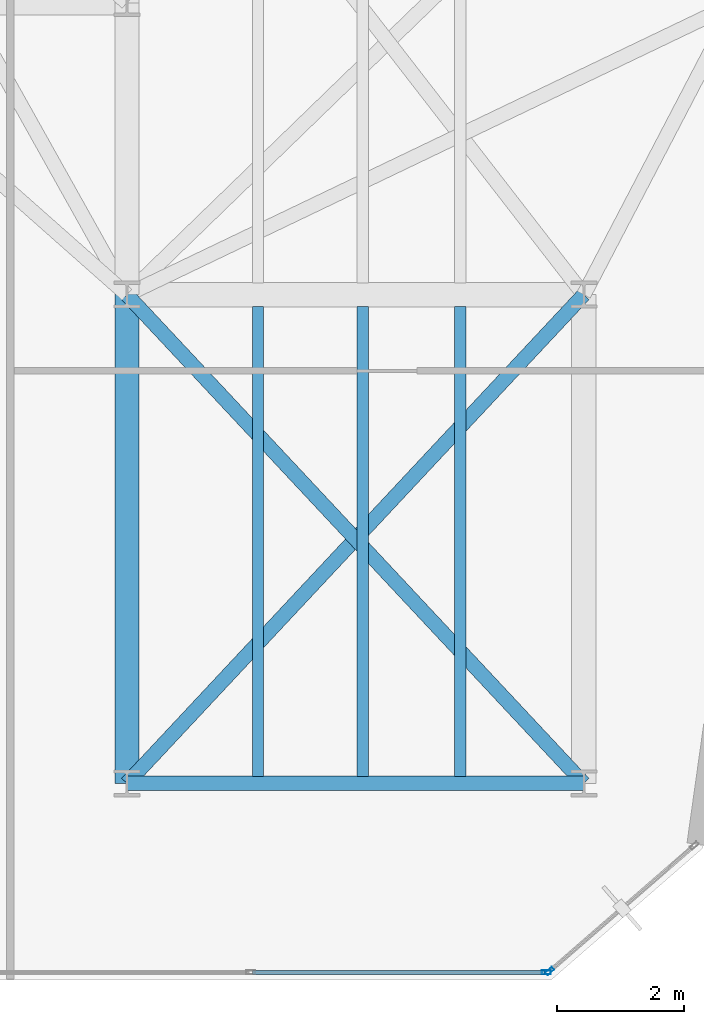
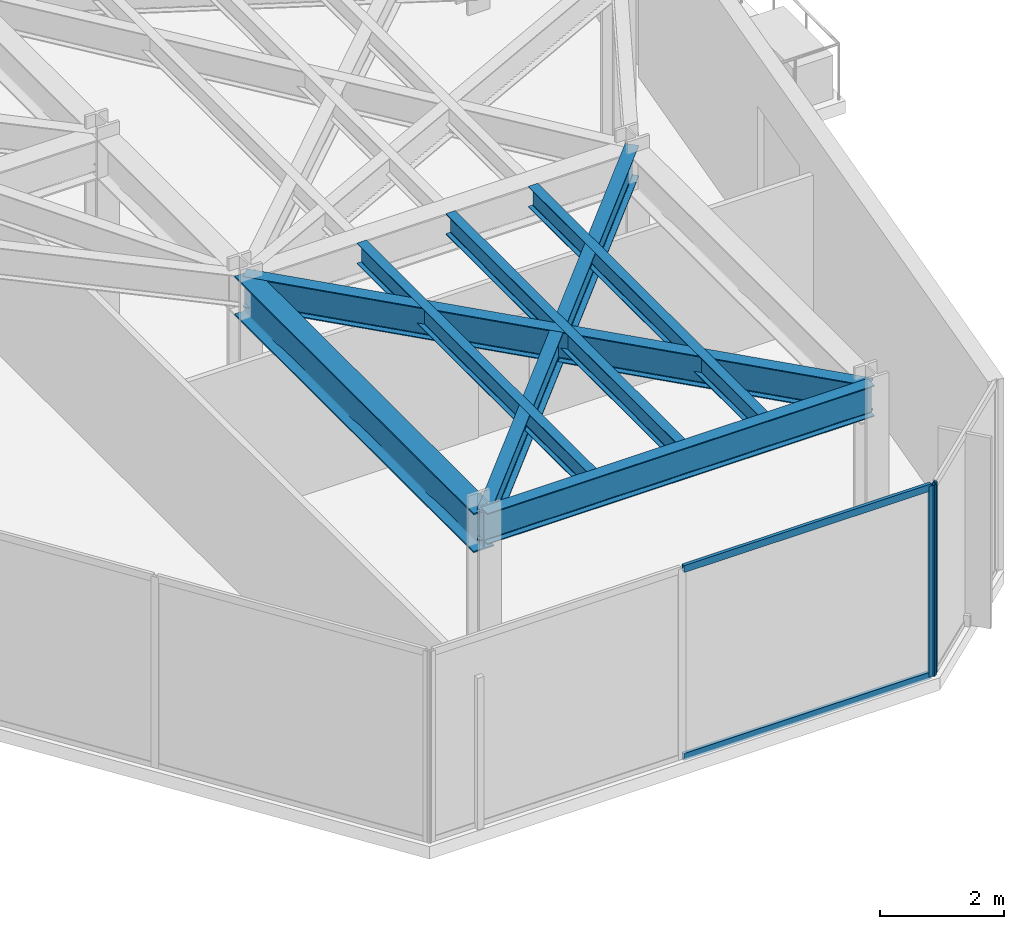
# One storey, part 17 of 27: 7 beams, 4 members, 2 elements without a shape of their own.
"""IFC4 building model written with IfcOpenShell, lengths in metres."""

from ifc_helpers import new_model, si_unit, direction, frame, origin, origin_2d, place, context, subcontext, project, spatial, hollow_rectangle, i_section, extrude, material, layer, layer_set, material_profile, profile_set, type_object, element, aggregate, save


model = new_model("IFC4")

# Units and contexts
model_context = context("Model", 3, precision=1e-05, world=origin(), true_north=direction((0.0, 1.0)))
body_context = subcontext(model_context, "Body", "Model", "MODEL_VIEW")
ifc_project = project(units=[si_unit("LENGTHUNIT", "METRE"), si_unit("AREAUNIT", "SQUARE_METRE"), si_unit("VOLUMEUNIT", "CUBIC_METRE"), si_unit("PLANEANGLEUNIT", "RADIAN"), si_unit("MASSUNIT", "GRAM", prefix="KILO")], contexts=[model_context])

# Site, building, storey
site_placement = place(None, origin())
site = spatial("IfcSite", under=ifc_project, at=site_placement, CompositionType="ELEMENT")
building_placement = place(site_placement, origin())
building = spatial("IfcBuilding", under=site, at=building_placement, Name="Kravanh Interchange Tower", CompositionType="ELEMENT")
storey_placement = place(building_placement, frame((0.0, 0.0, 164.5)))
storey = spatial("IfcBuildingStorey", under=building, at=storey_placement, Name="L39", CompositionType="ELEMENT", Elevation=164.5)

# Curtain wall, member
ifc_material_1 = material(Name="Anodised Bronze Aluminium", Category="aluminium")
ifc_layer = layer(ifc_material_1, 0.179931640625)
ifc_layer_set = layer_set([ifc_layer], Name="Unitised Curtain Wall System CW-Z3 Upper Office")
curtain_wall_type = type_object("IfcCurtainWallType", Name="Unitised Curtain Wall System CW-Z3 Upper Office", PredefinedType="NOTDEFINED", material=ifc_layer_set)
curtain_wall_1_placement = place(storey_placement, origin())
curtain_wall_1 = element("IfcCurtainWall", 1, at=curtain_wall_1_placement, inside=storey, type_object=curtain_wall_type, Name="L39 Unitised Curtain Wall CW-L39-02", PredefinedType="NOTDEFINED")
ifc_material_2 = material(Name="Anodised Bronze Aluminium", Category="aluminium")
ifc_material_profile_1 = material_profile(ifc_material_2, hollow_rectangle(XDim=0.06005859375, YDim=0.139892578125, WallThickness=0.00390625, at=origin_2d()), Name="ALU60X140X4")
ifc_profile_set_1 = profile_set([ifc_material_profile_1], Name="Anodised Bronze Aluminium")
member_type_1 = type_object("IfcMemberType", Name="Curtain Wall Mullion ALU60X140X4 Bronze", PredefinedType="MULLION", material=ifc_profile_set_1)
member_1_placement = place(storey_placement, frame((62.66357421875, 11.539794921875, 0.0), z_axis=(0.0, 0.0, 1.0), x_axis=(0.65605090137, -0.754716645379, 0.0)))
member_1 = element("IfcMember", 2, at=member_1_placement, type_object=member_type_1, Name="CW-Z3 mullion 2", PredefinedType="MULLION", context=body_context, shape_type="SweptSolid", body=[
    extrude(hollow_rectangle(XDim=0.06005859375, YDim=0.139892578125, WallThickness=0.00390625, at=origin_2d()), origin(), (0.0, 0.0, 1.0), 3.7548828125),
])
aggregate(curtain_wall_1, [member_1])

# Curtain wall, members
curtain_wall_2_placement = place(storey_placement, origin())
curtain_wall_2 = element("IfcCurtainWall", 3, at=curtain_wall_2_placement, inside=storey, type_object=curtain_wall_type, Name="L39 Unitised Curtain Wall CW-L39-03", PredefinedType="NOTDEFINED")
member_2_placement = place(storey_placement, frame((62.611083984375, 11.52001953125, 0.0), z_axis=(0.0, 0.0, 1.0), x_axis=(0.0, -1.0, 0.0)))
member_2 = element("IfcMember", 4, at=member_2_placement, type_object=member_type_1, Name="CW-Z3 mullion 1", PredefinedType="MULLION", context=body_context, shape_type="SweptSolid", body=[
    extrude(hollow_rectangle(XDim=0.06005859375, YDim=0.139892578125, WallThickness=0.00390625, at=origin_2d()), origin(), (0.0, 0.0, 1.0), 3.7548828125),
])
ifc_material_3 = material(Name="Anodised Bronze Aluminium", Category="aluminium")
ifc_material_profile_2 = material_profile(ifc_material_3, hollow_rectangle(XDim=0.06005859375, YDim=0.139892578125, WallThickness=0.00390625, at=origin_2d()), Name="ALU60X140X4")
ifc_profile_set_2 = profile_set([ifc_material_profile_2], Name="Anodised Bronze Aluminium")
member_type_2 = type_object("IfcMemberType", Name="Curtain Wall Transom ALU60X140X4 Bronze", PredefinedType="USERDEFINED", material=ifc_profile_set_2)
member_3_placement = place(storey_placement, frame((62.5810546875, 11.52001953125, 0.030029296875), z_axis=(-1.0, 0.0, 0.0), x_axis=(0.0, -1.0, 0.0)))
member_3 = element("IfcMember", 5, at=member_3_placement, type_object=member_type_2, Name="CW-Z3 transom 1.1", ObjectType="TRANSOM", PredefinedType="USERDEFINED", context=body_context, shape_type="SweptSolid", body=[
    extrude(hollow_rectangle(XDim=0.06005859375, YDim=0.139892578125, WallThickness=0.00390625, at=origin_2d()), origin(), (0.0, 0.0, 1.0), 4.59912109375),
])
member_4_placement = place(storey_placement, frame((62.5810546875, 11.52001953125, 3.72509765625), z_axis=(-1.0, 0.0, 0.0), x_axis=(0.0, -1.0, 0.0)))
member_4 = element("IfcMember", 6, at=member_4_placement, type_object=member_type_2, Name="CW-Z3 transom 1.2", ObjectType="TRANSOM", PredefinedType="USERDEFINED", context=body_context, shape_type="SweptSolid", body=[
    extrude(hollow_rectangle(XDim=0.06005859375, YDim=0.139892578125, WallThickness=0.00390625, at=origin_2d()), origin(), (0.0, 0.0, 1.0), 4.59912109375),
])
aggregate(curtain_wall_2, [member_2, member_3, member_4])

# Beams
ifc_material_4 = material(Name="Structural Steel S355", Category="steel")
ifc_material_profile_3 = material_profile(ifc_material_4, i_section(OverallWidth=0.381103515625, OverallDepth=0.77294921875, WebThickness=0.0166015625, FlangeThickness=0.027099609375, FilletRadius=0.02490234375, at=origin_2d()), Name="W30X173")
ifc_profile_set_3 = profile_set([ifc_material_profile_3], Name="Structural Steel S355")
beam_type_1 = type_object("IfcBeamType", Name="Floor Beam W30X173 Structural Steel S355", PredefinedType="BEAM", material=ifc_profile_set_3)
beam_1_placement = place(storey_placement, frame((56.0, 14.5, 3.368408203125), z_axis=(0.0, 1.0, 0.0), x_axis=(-1.0, 0.0, 0.0)))
element("IfcBeam", 7, at=beam_1_placement, inside=storey, type_object=beam_type_1, Name="L39 Primary Floor Girder 87", PredefinedType="BEAM", context=body_context, shape_type="SweptSolid", body=[
    extrude(i_section(OverallWidth=0.381103515625, OverallDepth=0.77294921875, WebThickness=0.0166015625, FlangeThickness=0.027099609375, FilletRadius=0.02490234375, at=origin_2d()), origin(), (0.0, 0.0, 1.0), 7.699951171875),
])
ifc_material_5 = material(Name="Structural Steel S355", Category="steel")
ifc_material_profile_4 = material_profile(ifc_material_5, i_section(OverallWidth=0.177978515625, OverallDepth=0.406005859375, WebThickness=0.0078125, FlangeThickness=0.0126953125, FilletRadius=0.01611328125, at=origin_2d()), Name="W16X40")
ifc_profile_set_4 = profile_set([ifc_material_profile_4], Name="Structural Steel S355")
beam_type_2 = type_object("IfcBeamType", Name="Floor Joist W16X40 Structural Steel S355", PredefinedType="JOIST", material=ifc_profile_set_4)
for number, where, z_axis, x_axis, name in (
    (8, (58.06591796875, 14.60888671875, 3.552001953125), (0.0, 1.0, 0.0), (-1.0, 0.0, 0.0), "L39 Secondary Floor Joist 4"),
    (9, (59.718017578125, 14.60888671875, 3.552001953125), (0.0, 1.0, 0.0), (-1.0, 0.0, 0.0), "L39 Secondary Floor Joist 5"),
    (10, (61.251953125, 14.60888671875, 3.552001953125), (0.0, 1.0, 0.0), (-1.0, 0.0, 0.0), "L39 Secondary Floor Joist 6"),
):
    element("IfcBeam", number, at=place(storey_placement, frame(where, z_axis=z_axis, x_axis=x_axis)), inside=storey, type_object=beam_type_2, Name=name, PredefinedType="JOIST", context=body_context, shape_type="SweptSolid", body=[
        extrude(i_section(OverallWidth=0.177978515625, OverallDepth=0.406005859375, WebThickness=0.0078125, FlangeThickness=0.0126953125, FilletRadius=0.01611328125, at=origin_2d()), origin(), (0.0, 0.0, 1.0), 7.405517578125),
    ])
ifc_material_6 = material(Name="Structural Steel S355", Category="steel")
ifc_material_profile_5 = material_profile(ifc_material_6, i_section(OverallWidth=0.22802734375, OverallDepth=0.60791015625, WebThickness=0.01123046875, FlangeThickness=0.017333984375, FilletRadius=0.02197265625, at=origin_2d()), Name="W24X76")
ifc_profile_set_5 = profile_set([ifc_material_profile_5], Name="Structural Steel S355")
beam_type_3 = type_object("IfcBeamType", Name="Floor Spandrel W24X76 Structural Steel S355", PredefinedType="SPANDREL", material=ifc_profile_set_5)
beam_2_placement = place(storey_placement, frame((56.0, 14.5, 3.450927734375), z_axis=(1.0, 0.0, 0.0), x_axis=(0.0, 1.0, 0.0)))
element("IfcBeam", 11, at=beam_2_placement, inside=storey, type_object=beam_type_3, Name="L39 Perimeter Spandrel 86", PredefinedType="SPANDREL", context=body_context, shape_type="SweptSolid", body=[
    extrude(i_section(OverallWidth=0.22802734375, OverallDepth=0.60791015625, WebThickness=0.01123046875, FlangeThickness=0.017333984375, FilletRadius=0.02197265625, at=origin_2d()), origin(), (0.0, 0.0, 1.0), 7.199951171875),
])
for number, where, z_axis, x_axis, name in (
    (12, (56.0, 14.5, 3.450927734375), (0.682993762113, 0.73042420614, 0.0), (-0.73042420614, 0.682993762113, 0.0), "L39 Perimeter Spandrel 88"),
    (13, (63.199951171875, 14.5, 3.450927734375), (-0.682993762113, 0.73042420614, 0.0), (-0.73042420614, -0.682993762113, 0.0), "L39 Perimeter Spandrel 90"),
):
    element("IfcBeam", number, at=place(storey_placement, frame(where, z_axis=z_axis, x_axis=x_axis)), inside=storey, type_object=beam_type_3, Name=name, PredefinedType="SPANDREL", context=body_context, shape_type="SweptSolid", body=[
        extrude(i_section(OverallWidth=0.22802734375, OverallDepth=0.60791015625, WebThickness=0.01123046875, FlangeThickness=0.017333984375, FilletRadius=0.02197265625, at=origin_2d()), origin(), (0.0, 0.0, 1.0), 10.541748046875),
    ])

save(model, "model.ifc")
